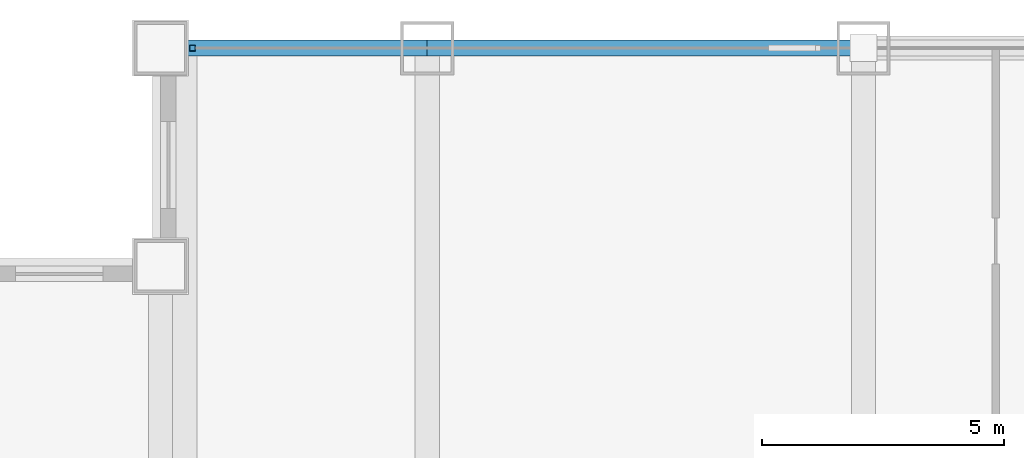
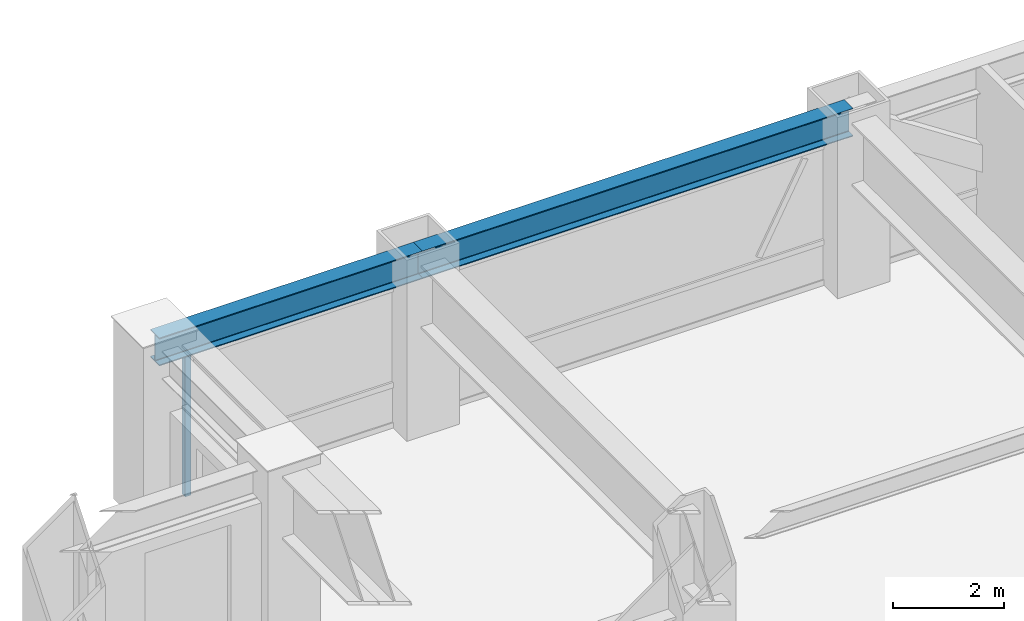
# One storey, part 14 of 26: 2 beams, 1 member, 1 element without a shape of its own.
"""IFC4 building model written with IfcOpenShell, lengths in metres."""

from ifc_helpers import new_model, si_unit, direction, frame, origin, origin_2d, place, context, subcontext, project, spatial, hollow_rectangle, i_section, extrude, source, transform, mapped, material, material_profile, profile_set, type_object, element, aggregate, save


model = new_model("IFC4")

# Units and contexts
model_context = context("Model", 3, precision=1e-05, world=origin(), true_north=direction((0.0, 1.0)))
body_context = subcontext(model_context, "Body", "Model", "MODEL_VIEW")
ifc_project = project(units=[si_unit("LENGTHUNIT", "METRE"), si_unit("AREAUNIT", "SQUARE_METRE"), si_unit("VOLUMEUNIT", "CUBIC_METRE"), si_unit("PLANEANGLEUNIT", "RADIAN"), si_unit("MASSUNIT", "GRAM", prefix="KILO")], contexts=[model_context])

# Site, building, storey
site_placement = place(None, origin())
site = spatial("IfcSite", under=ifc_project, at=site_placement, CompositionType="ELEMENT")
building_placement = place(site_placement, origin())
building = spatial("IfcBuilding", under=site, at=building_placement, Name="Khorayat Bourse Tower", CompositionType="ELEMENT")
storey_placement = place(building_placement, frame((0.0, 0.0, 207.10009765625)))
storey = spatial("IfcBuildingStorey", under=building, at=storey_placement, Name="L48", CompositionType="ELEMENT", Elevation=207.10009765625)

# Beams
ifc_material_1 = material(Name="Steel ASTM A992 Grade 50", Category="steel")
ifc_material_profile_1 = material_profile(ifc_material_1, i_section(OverallWidth=0.324951171875, OverallDepth=0.615966796875, WebThickness=0.013916015625, FlangeThickness=0.021484375, FilletRadius=0.01611328125, at=origin_2d()), Name="W610X174")
ifc_profile_set_1 = profile_set([ifc_material_profile_1], Name="Steel ASTM A992 Grade 50")
beam_type = type_object("IfcBeamType", Name="BM-SPAN-610", PredefinedType="SPANDREL", material=ifc_profile_set_1)
shared_shape_1 = source(origin(), body_context, "Body", "SweptSolid", [
    extrude(i_section(OverallWidth=0.324951171875, OverallDepth=0.615966796875, WebThickness=0.013916015625, FlangeThickness=0.021484375, FilletRadius=0.01611328125, at=origin_2d()), origin(), (0.0, 0.0, 1.0), 5.5),
])
beam_1_placement = place(storey_placement, frame((-25.5, 30.0, 3.471923828125), z_axis=(1.0, 0.0, 0.0), x_axis=(0.0, 1.0, 0.0)))
element("IfcBeam", 1, at=beam_1_placement, inside=storey, type_object=beam_type, Name="L48 BM-SPAN-610 BM-L48-SPN-051", PredefinedType="SPANDREL", context=body_context, shape_type="MappedRepresentation", body=[
    mapped(shared_shape_1, transform((0.0, 0.0, 0.0), scale=1.0)),
])
shared_shape_2 = source(origin(), body_context, "Body", "SweptSolid", [
    extrude(i_section(OverallWidth=0.324951171875, OverallDepth=0.615966796875, WebThickness=0.013916015625, FlangeThickness=0.021484375, FilletRadius=0.01611328125, at=origin_2d()), origin(), (0.0, 0.0, 1.0), 9.0),
])
beam_2_placement = place(storey_placement, frame((-20.0, 30.0, 3.471923828125), z_axis=(1.0, 0.0, 0.0), x_axis=(0.0, 1.0, 0.0)))
element("IfcBeam", 2, at=beam_2_placement, inside=storey, type_object=beam_type, Name="L48 BM-SPAN-610 BM-L48-SPN-050", PredefinedType="SPANDREL", context=body_context, shape_type="MappedRepresentation", body=[
    mapped(shared_shape_2, transform((0.0, 0.0, 0.0), scale=1.0)),
])

# Curtain wall, member
ifc_material_2 = material(Name="Aluminium EN AW-6063 T6", Category="aluminium")
curtain_wall_type = type_object("IfcCurtainWallType", Name="CW-SYS-03", PredefinedType="NOTDEFINED", material=ifc_material_2)
curtain_wall_placement = place(storey_placement, origin())
curtain_wall = element("IfcCurtainWall", 3, at=curtain_wall_placement, inside=storey, type_object=curtain_wall_type, Name="L48 Curtain Wall CW-L48-N1", PredefinedType="NOTDEFINED")
ifc_material_profile_2 = material_profile(ifc_material_2, hollow_rectangle(XDim=0.1201171875, YDim=0.1201171875, WallThickness=0.0048828125, at=origin_2d()), Name="ALU 120x120x5")
ifc_profile_set_2 = profile_set([ifc_material_profile_2], Name="Aluminium EN AW-6063 T6")
member_type = type_object("IfcMemberType", Name="CWM-VERT-120", PredefinedType="MULLION", material=ifc_profile_set_2)
shared_shape_3 = source(origin(), body_context, "Body", "SweptSolid", [
    extrude(hollow_rectangle(XDim=0.1201171875, YDim=0.1201171875, WallThickness=0.0048828125, at=origin_2d()), origin(), (0.0, 0.0, 1.0), 3.1298828125),
])
member_placement = place(storey_placement, frame((-24.840087890625, 30.0, 0.0), z_axis=(0.0, 0.0, 1.0), x_axis=(0.0, 1.0, 0.0)))
member = element("IfcMember", 4, at=member_placement, type_object=member_type, Name="CW-L48-N1 Vertical Mullion 1", PredefinedType="MULLION", context=body_context, shape_type="MappedRepresentation", body=[
    mapped(shared_shape_3, transform((0.0, 0.0, 0.0), scale=1.0)),
])
aggregate(curtain_wall, [member])

save(model, "model.ifc")
